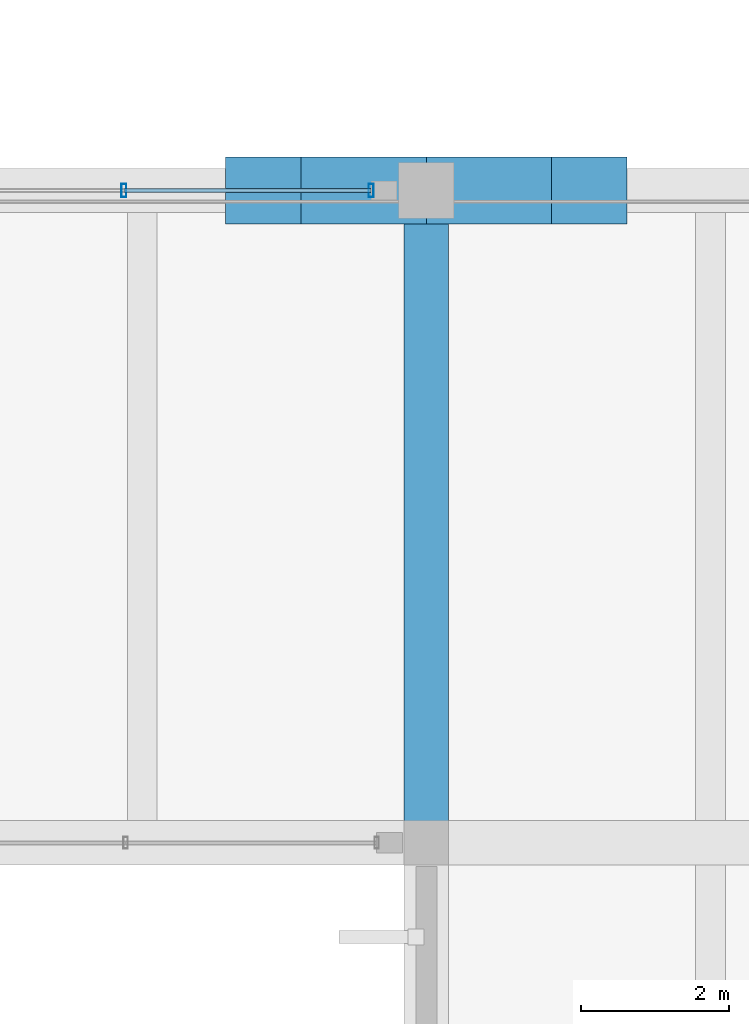
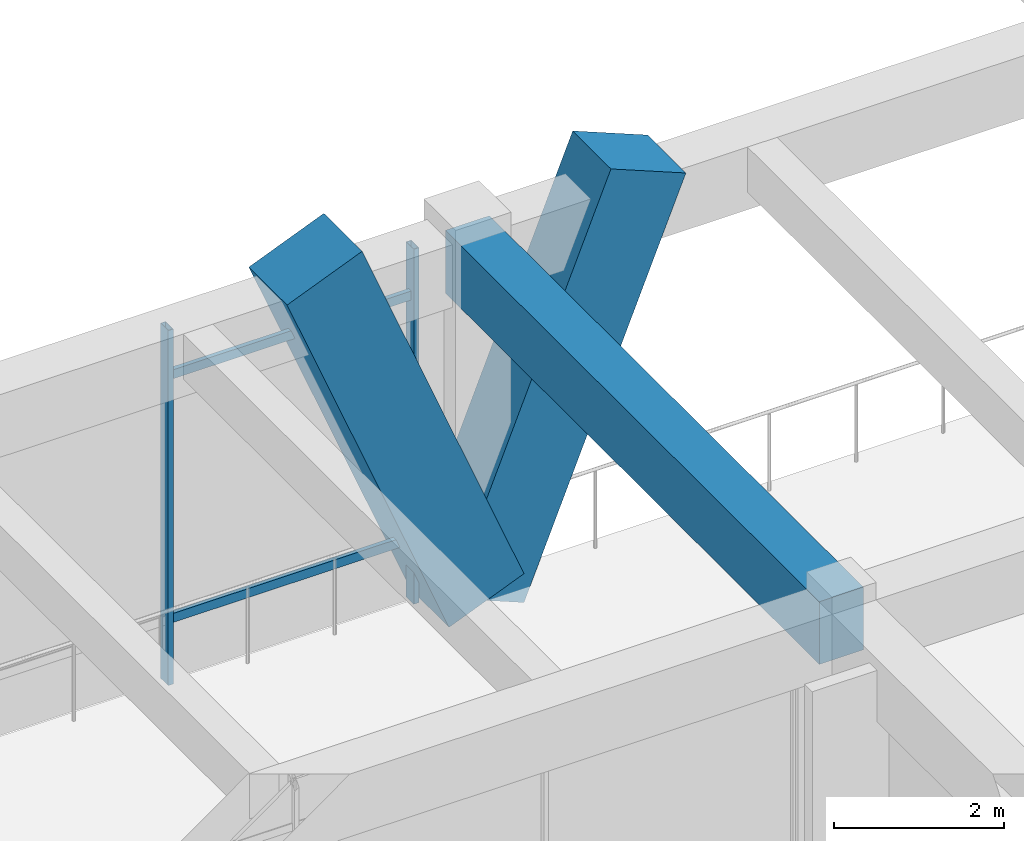
# One storey, part 95 of 148: 6 members, 1 beam, 1 element without a shape of its own.
"""IFC4 building model written with IfcOpenShell, lengths in metres."""

from ifc_helpers import new_model, si_unit, direction, frame, origin, origin_2d, place, context, subcontext, project, spatial, rectangle, hollow_rectangle, extrude, material, material_profile, profile_set, type_object, element, aggregate, save


model = new_model("IFC4")

# Units and contexts
model_context = context("Model", 3, precision=1e-05, world=origin(), true_north=direction((0.0, 1.0)))
body_context = subcontext(model_context, "Body", "Model", "MODEL_VIEW")
ifc_project = project(units=[si_unit("LENGTHUNIT", "METRE"), si_unit("AREAUNIT", "SQUARE_METRE"), si_unit("VOLUMEUNIT", "CUBIC_METRE"), si_unit("PLANEANGLEUNIT", "RADIAN"), si_unit("MASSUNIT", "GRAM", prefix="KILO")], contexts=[model_context])

# Site, building, storey
site_placement = place(None, origin())
site = spatial("IfcSite", under=ifc_project, at=site_placement, CompositionType="ELEMENT")
building_placement = place(site_placement, origin())
building = spatial("IfcBuilding", under=site, at=building_placement, Name="Ologun Quay Terminus", CompositionType="ELEMENT")
storey_placement = place(building_placement, frame((0.0, 0.0, 8.39990234375)))
storey = spatial("IfcBuildingStorey", under=building, at=storey_placement, Name="L02", CompositionType="ELEMENT", Elevation=8.39990234375)

# Curtain wall, members
ifc_material_1 = material(Name="Aluminium 6063-T6", Category="aluminium")
curtain_wall_type = type_object("IfcCurtainWallType", Name="Train Shed South Clerestory Curtain Wall 10700x5050", PredefinedType="USERDEFINED", material=ifc_material_1)
curtain_wall_placement = place(storey_placement, origin())
curtain_wall = element("IfcCurtainWall", 1, at=curtain_wall_placement, inside=storey, type_object=curtain_wall_type, Name="CW-08 Curtain Wall CW-L02-072", ObjectType="UNITISED CURTAIN WALL", PredefinedType="USERDEFINED")
ifc_material_2 = material(Name="Aluminium 6063-T6", Category="aluminium")
ifc_material_profile_1 = material_profile(ifc_material_2, hollow_rectangle(XDim=0.070068359375, YDim=0.179931640625, WallThickness=0.0048828125, at=origin_2d()), Name="ALU 180x70x5")
ifc_profile_set_1 = profile_set([ifc_material_profile_1], Name="Aluminium 6063-T6")
member_type_1 = type_object("IfcMemberType", Name="Concourse Clerestory Mullion 180x70", PredefinedType="MULLION", material=ifc_profile_set_1)
member_1_placement = place(storey_placement, frame((168.418212890625, 36.0, 0.0), z_axis=(0.0, 0.0, 1.0), x_axis=(1.0, 0.0, 0.0)))
member_1 = element("IfcMember", 2, at=member_1_placement, type_object=member_type_1, Name="CW-L02-072 Mullion 3", PredefinedType="MULLION", context=body_context, shape_type="SweptSolid", body=[
    extrude(hollow_rectangle(XDim=0.070068359375, YDim=0.179931640625, WallThickness=0.0048828125, at=origin_2d()), origin(), (0.0, 0.0, 1.0), 5.10009765625),
])
member_2_placement = place(storey_placement, frame((171.7548828125, 36.0, 0.0), z_axis=(0.0, 0.0, 1.0), x_axis=(1.0, 0.0, 0.0)))
member_2 = element("IfcMember", 3, at=member_2_placement, type_object=member_type_1, Name="CW-L02-072 Mullion 4", PredefinedType="MULLION", context=body_context, shape_type="SweptSolid", body=[
    extrude(hollow_rectangle(XDim=0.070068359375, YDim=0.179931640625, WallThickness=0.0048828125, at=origin_2d()), origin(), (0.0, 0.0, 1.0), 5.10009765625),
])
ifc_material_3 = material(Name="Aluminium 6063-T6", Category="aluminium")
ifc_material_profile_2 = material_profile(ifc_material_3, hollow_rectangle(XDim=0.06005859375, YDim=0.1298828125, WallThickness=0.00390625, at=origin_2d()), Name="ALU 130x60x4")
ifc_profile_set_2 = profile_set([ifc_material_profile_2], Name="Aluminium 6063-T6")
member_type_2 = type_object("IfcMemberType", Name="Concourse Clerestory Transom 130x60", PredefinedType="USERDEFINED", material=ifc_profile_set_2)
member_3_placement = place(storey_placement, frame((168.418212890625, 36.0, 0.900146484375), z_axis=(1.0, 0.0, 0.0), x_axis=(0.0, 1.0, 0.0)))
member_3 = element("IfcMember", 4, at=member_3_placement, type_object=member_type_2, Name="CW-L02-072 Transom B3-1", ObjectType="TRANSOM", PredefinedType="USERDEFINED", context=body_context, shape_type="SweptSolid", body=[
    extrude(hollow_rectangle(XDim=0.06005859375, YDim=0.1298828125, WallThickness=0.00390625, at=origin_2d()), origin(), (0.0, 0.0, 1.0), 3.336669921875),
])
member_4_placement = place(storey_placement, frame((168.418212890625, 36.0, 4.400146484375), z_axis=(1.0, 0.0, 0.0), x_axis=(0.0, 1.0, 0.0)))
member_4 = element("IfcMember", 5, at=member_4_placement, type_object=member_type_2, Name="CW-L02-072 Transom B3-2", ObjectType="TRANSOM", PredefinedType="USERDEFINED", context=body_context, shape_type="SweptSolid", body=[
    extrude(hollow_rectangle(XDim=0.06005859375, YDim=0.1298828125, WallThickness=0.00390625, at=origin_2d()), origin(), (0.0, 0.0, 1.0), 3.336669921875),
])
aggregate(curtain_wall, [member_1, member_2, member_3, member_4])

# Members
ifc_material_4 = material(Name="Concrete C45/55", Category="concrete")
ifc_material_profile_3 = material_profile(ifc_material_4, rectangle(XDim=0.89990234375, YDim=1.10009765625, at=origin_2d()), Name="RC 900x1100")
ifc_profile_set_3 = profile_set([ifc_material_profile_3], Name="Concrete C45/55")
member_type_3 = type_object("IfcMemberType", Name="Sculpted Concrete Arch V-Buttress Strut 900x1100", PredefinedType="STRUT", material=ifc_profile_set_3)
for number, where, z_axis, x_axis, name in (
    (6, (172.5, 36.0, 0.0), (-0.377280927807, 0.0, 0.926098861631), (0.0, -1.0, 0.0), "VS1 Arch V-Buttress West Limb 16/E"),
    (7, (172.5, 36.0, 0.0), (0.377280927807, 0.0, 0.926098861631), (0.0, 1.0, 0.0), "VS1 Arch V-Buttress East Limb 16/E"),
):
    element("IfcMember", number, at=place(storey_placement, frame(where, z_axis=z_axis, x_axis=x_axis)), inside=storey, type_object=member_type_3, Name=name, PredefinedType="STRUT", context=body_context, shape_type="SweptSolid", body=[
        extrude(rectangle(XDim=0.89990234375, YDim=1.10009765625, at=origin_2d()), origin(), (0.0, 0.0, 1.0), 5.8310546875),
    ])

# Beam
ifc_material_5 = material(Name="Concrete C40/50", Category="concrete")
ifc_material_profile_4 = material_profile(ifc_material_5, rectangle(XDim=0.60009765625, YDim=0.89990234375, at=origin_2d()), Name="RC 600x900")
ifc_profile_set_4 = profile_set([ifc_material_profile_4], Name="Concrete C40/50")
beam_type = type_object("IfcBeamType", Name="Station Frame Girder 600x900", PredefinedType="BEAM", material=ifc_profile_set_4)
beam_placement = place(storey_placement, frame((172.5, 27.199951171875, 4.7001953125), z_axis=(0.0, 1.0, 0.0), x_axis=(-1.0, 0.0, 0.0)))
element("IfcBeam", 8, at=beam_placement, inside=storey, type_object=beam_type, Name="B3 Beam 16/D L02", PredefinedType="BEAM", context=body_context, shape_type="SweptSolid", body=[
    extrude(rectangle(XDim=0.60009765625, YDim=0.89990234375, at=origin_2d()), origin(), (0.0, 0.0, 1.0), 8.800048828125),
])

save(model, "model.ifc")
